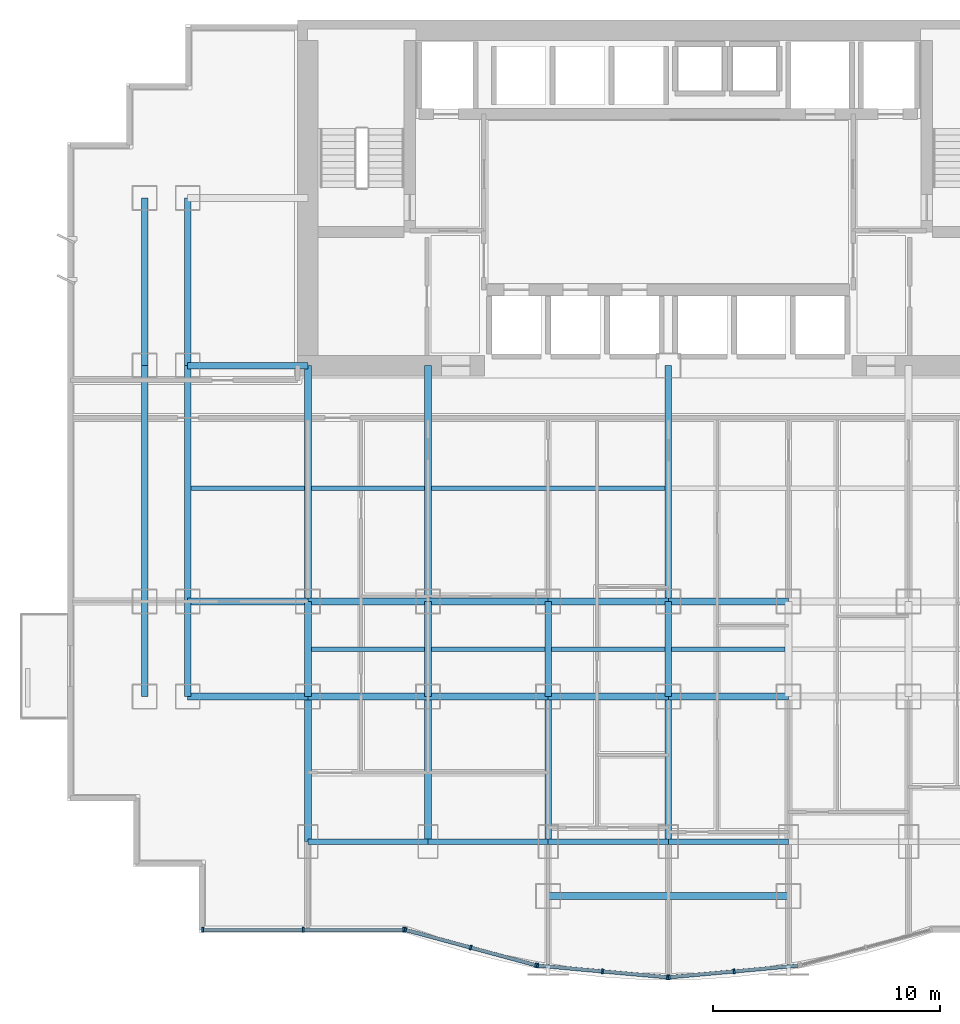
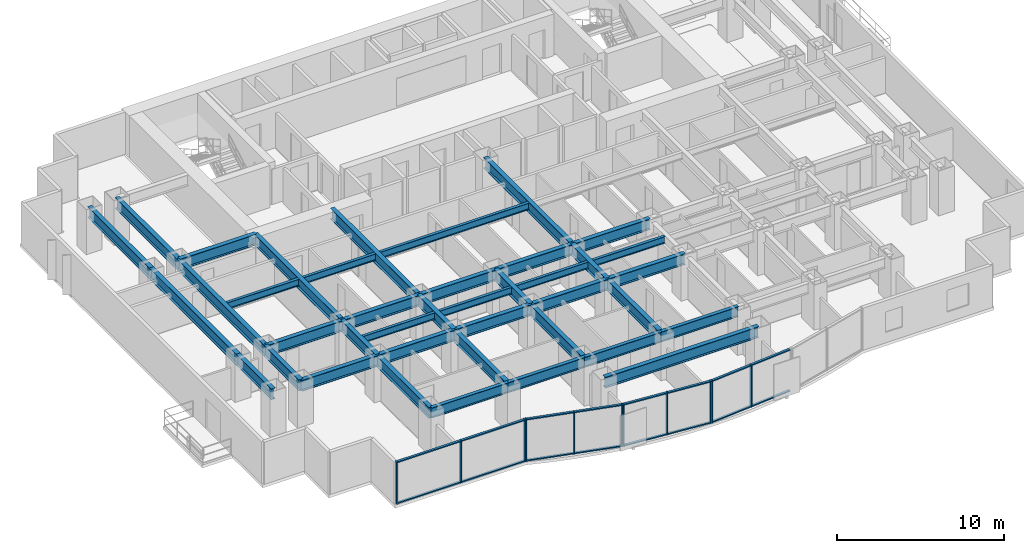
# One storey, part 2 of 10: 40 beams, 27 members, 4 elements without a shape of their own.
"""IFC4 building model written with IfcOpenShell, lengths in metres."""

from ifc_helpers import new_model, si_unit, direction, frame, origin, origin_2d, place, context, subcontext, project, spatial, rectangle, i_section, extrude, source, transform, mapped, material, layer, layer_set, material_profile, profile_set, type_object, element, aggregate, save


model = new_model("IFC4")

# Units and contexts
model_context = context("Model", 3, precision=1e-05, world=origin(), true_north=direction((0.0, 1.0)))
body_context = subcontext(model_context, "Body", "Model", "MODEL_VIEW")
ifc_project = project(units=[si_unit("LENGTHUNIT", "METRE"), si_unit("AREAUNIT", "SQUARE_METRE"), si_unit("VOLUMEUNIT", "CUBIC_METRE"), si_unit("PLANEANGLEUNIT", "RADIAN"), si_unit("MASSUNIT", "GRAM", prefix="KILO")], contexts=[model_context])

# Site, building, storey
site_placement = place(None, origin())
site = spatial("IfcSite", under=ifc_project, at=site_placement, CompositionType="ELEMENT")
building_placement = place(site_placement, origin())
building = spatial("IfcBuilding", under=site, at=building_placement, Name="Qianlan Lanfeng Residences", CompositionType="ELEMENT")
storey_placement = place(building_placement, frame((0.0, 0.0, 60.5)))
storey = spatial("IfcBuildingStorey", under=building, at=storey_placement, Name="L16", CompositionType="ELEMENT", Elevation=60.5)

# Beams
ifc_material_1 = material(Name="Steel SN490B", Category="steel")
ifc_material_profile_1 = material_profile(ifc_material_1, i_section(OverallWidth=0.300048828125, OverallDepth=0.800048828125, WebThickness=0.01611328125, FlangeThickness=0.028076171875, at=origin_2d()), Name="H 800x300x16x28")
ifc_profile_set_1 = profile_set([ifc_material_profile_1], Name="Steel SN490B")
beam_type_1 = type_object("IfcBeamType", Name="G-950", PredefinedType="BEAM", material=ifc_profile_set_1)
beam_1_placement = place(storey_placement, frame((21.199951171875, 1.800048828125, 2.679931640625), z_axis=(1.0, 0.0, 0.0), x_axis=(0.0, 1.0, 0.0)))
element("IfcBeam", 1, at=beam_1_placement, inside=storey, type_object=beam_type_1, Name="Structural beam G-950", PredefinedType="BEAM", context=body_context, shape_type="SweptSolid", body=[
    extrude(i_section(OverallWidth=0.300048828125, OverallDepth=0.800048828125, WebThickness=0.01611328125, FlangeThickness=0.028076171875, at=origin_2d()), origin(), (0.0, 0.0, 1.0), 10.60009765625),
])
beam_2_placement = place(storey_placement, frame((5.300048828125, 10.60009765625, 2.679931640625), z_axis=(1.0, 0.0, 0.0), x_axis=(0.0, 1.0, 0.0)))
element("IfcBeam", 2, at=beam_2_placement, inside=storey, type_object=beam_type_1, Name="Structural beam G-950", PredefinedType="BEAM", context=body_context, shape_type="SweptSolid", body=[
    extrude(i_section(OverallWidth=0.300048828125, OverallDepth=0.800048828125, WebThickness=0.01611328125, FlangeThickness=0.028076171875, at=origin_2d()), origin(), (0.0, 0.0, 1.0), 5.300048828125),
])
beam_3_placement = place(storey_placement, frame((10.60009765625, 10.60009765625, 2.679931640625), z_axis=(1.0, 0.0, 0.0), x_axis=(0.0, 1.0, 0.0)))
element("IfcBeam", 3, at=beam_3_placement, inside=storey, type_object=beam_type_1, Name="Structural beam G-950", PredefinedType="BEAM", context=body_context, shape_type="SweptSolid", body=[
    extrude(i_section(OverallWidth=0.300048828125, OverallDepth=0.800048828125, WebThickness=0.01611328125, FlangeThickness=0.028076171875, at=origin_2d()), origin(), (0.0, 0.0, 1.0), 5.2998046875),
])
for number, where, z_axis, x_axis, name in (
    (4, (15.89990234375, 10.60009765625, 2.679931640625), (1.0, 0.0, 0.0), (0.0, 1.0, 0.0), "Structural beam G-950"),
    (5, (21.199951171875, 10.60009765625, 2.679931640625), (1.0, 0.0, 0.0), (0.0, 1.0, 0.0), "Structural beam G-950"),
    (6, (26.5, 10.60009765625, 2.679931640625), (1.0, 0.0, 0.0), (0.0, 1.0, 0.0), "Structural beam G-950"),
    (7, (5.300048828125, 14.800048828125, 2.679931640625), (1.0, 0.0, 0.0), (0.0, 1.0, 0.0), "Structural beam G-950"),
):
    element("IfcBeam", number, at=place(storey_placement, frame(where, z_axis=z_axis, x_axis=x_axis)), inside=storey, type_object=beam_type_1, Name=name, PredefinedType="BEAM", context=body_context, shape_type="SweptSolid", body=[
        extrude(i_section(OverallWidth=0.300048828125, OverallDepth=0.800048828125, WebThickness=0.01611328125, FlangeThickness=0.028076171875, at=origin_2d()), origin(), (0.0, 0.0, 1.0), 5.300048828125),
    ])
beam_4_placement = place(storey_placement, frame((10.60009765625, 14.800048828125, 2.679931640625), z_axis=(1.0, 0.0, 0.0), x_axis=(0.0, 1.0, 0.0)))
element("IfcBeam", 8, at=beam_4_placement, inside=storey, type_object=beam_type_1, Name="Structural beam G-950", PredefinedType="BEAM", context=body_context, shape_type="SweptSolid", body=[
    extrude(i_section(OverallWidth=0.300048828125, OverallDepth=0.800048828125, WebThickness=0.01611328125, FlangeThickness=0.028076171875, at=origin_2d()), origin(), (0.0, 0.0, 1.0), 5.2998046875),
])
for number, where, z_axis, x_axis, name in (
    (9, (15.89990234375, 14.800048828125, 2.679931640625), (1.0, 0.0, 0.0), (0.0, 1.0, 0.0), "Structural beam G-950"),
    (10, (21.199951171875, 14.800048828125, 2.679931640625), (1.0, 0.0, 0.0), (0.0, 1.0, 0.0), "Structural beam G-950"),
    (11, (26.5, 14.800048828125, 2.679931640625), (1.0, 0.0, 0.0), (0.0, 1.0, 0.0), "Structural beam G-950"),
    (12, (5.300048828125, 25.199951171875, 2.679931640625), (1.0, 0.0, 0.0), (0.0, 1.0, 0.0), "Structural beam G-950"),
):
    element("IfcBeam", number, at=place(storey_placement, frame(where, z_axis=z_axis, x_axis=x_axis)), inside=storey, type_object=beam_type_1, Name=name, PredefinedType="BEAM", context=body_context, shape_type="SweptSolid", body=[
        extrude(i_section(OverallWidth=0.300048828125, OverallDepth=0.800048828125, WebThickness=0.01611328125, FlangeThickness=0.028076171875, at=origin_2d()), origin(), (0.0, 0.0, 1.0), 5.300048828125),
    ])
beam_5_placement = place(storey_placement, frame((3.39990234375, 10.60009765625, 2.679931640625), z_axis=(0.0, 1.0, 0.0), x_axis=(-1.0, 0.0, 0.0)))
element("IfcBeam", 13, at=beam_5_placement, inside=storey, type_object=beam_type_1, Name="Structural beam G-950", PredefinedType="BEAM", context=body_context, shape_type="SweptSolid", body=[
    extrude(i_section(OverallWidth=0.300048828125, OverallDepth=0.800048828125, WebThickness=0.01611328125, FlangeThickness=0.028076171875, at=origin_2d()), origin(), (0.0, 0.0, 1.0), 4.199951171875),
])
beam_6_placement = place(storey_placement, frame((3.39990234375, 14.800048828125, 2.679931640625), z_axis=(0.0, 1.0, 0.0), x_axis=(-1.0, 0.0, 0.0)))
element("IfcBeam", 14, at=beam_6_placement, inside=storey, type_object=beam_type_1, Name="Structural beam G-950", PredefinedType="BEAM", context=body_context, shape_type="SweptSolid", body=[
    extrude(i_section(OverallWidth=0.300048828125, OverallDepth=0.800048828125, WebThickness=0.01611328125, FlangeThickness=0.028076171875, at=origin_2d()), origin(), (0.0, 0.0, 1.0), 10.39990234375),
])
beam_7_placement = place(storey_placement, frame((3.39990234375, 25.199951171875, 2.679931640625), z_axis=(0.0, 1.0, 0.0), x_axis=(-1.0, 0.0, 0.0)))
element("IfcBeam", 15, at=beam_7_placement, inside=storey, type_object=beam_type_1, Name="Structural beam G-950", PredefinedType="BEAM", context=body_context, shape_type="SweptSolid", body=[
    extrude(i_section(OverallWidth=0.300048828125, OverallDepth=0.800048828125, WebThickness=0.01611328125, FlangeThickness=0.028076171875, at=origin_2d()), origin(), (0.0, 0.0, 1.0), 7.400146484375),
])
beam_8_placement = place(storey_placement, frame((5.300048828125, 10.60009765625, 2.679931640625), z_axis=(0.0, 1.0, 0.0), x_axis=(-1.0, 0.0, 0.0)))
element("IfcBeam", 16, at=beam_8_placement, inside=storey, type_object=beam_type_1, Name="Structural beam G-950", PredefinedType="BEAM", context=body_context, shape_type="SweptSolid", body=[
    extrude(i_section(OverallWidth=0.300048828125, OverallDepth=0.800048828125, WebThickness=0.01611328125, FlangeThickness=0.028076171875, at=origin_2d()), origin(), (0.0, 0.0, 1.0), 4.199951171875),
])
beam_9_placement = place(storey_placement, frame((5.300048828125, 14.800048828125, 2.679931640625), z_axis=(0.0, 1.0, 0.0), x_axis=(-1.0, 0.0, 0.0)))
element("IfcBeam", 17, at=beam_9_placement, inside=storey, type_object=beam_type_1, Name="Structural beam G-950", PredefinedType="BEAM", context=body_context, shape_type="SweptSolid", body=[
    extrude(i_section(OverallWidth=0.300048828125, OverallDepth=0.800048828125, WebThickness=0.01611328125, FlangeThickness=0.028076171875, at=origin_2d()), origin(), (0.0, 0.0, 1.0), 10.39990234375),
])
beam_10_placement = place(storey_placement, frame((5.300048828125, 25.199951171875, 2.679931640625), z_axis=(0.0, 1.0, 0.0), x_axis=(-1.0, 0.0, 0.0)))
element("IfcBeam", 18, at=beam_10_placement, inside=storey, type_object=beam_type_1, Name="Structural beam G-950", PredefinedType="BEAM", context=body_context, shape_type="SweptSolid", body=[
    extrude(i_section(OverallWidth=0.300048828125, OverallDepth=0.800048828125, WebThickness=0.01611328125, FlangeThickness=0.028076171875, at=origin_2d()), origin(), (0.0, 0.0, 1.0), 7.400146484375),
])
beam_11_placement = place(storey_placement, frame((10.60009765625, 4.199951171875, 2.679931640625), z_axis=(0.0, 1.0, 0.0), x_axis=(-1.0, 0.0, 0.0)))
element("IfcBeam", 19, at=beam_11_placement, inside=storey, type_object=beam_type_1, Name="Structural beam G-950", PredefinedType="BEAM", context=body_context, shape_type="SweptSolid", body=[
    extrude(i_section(OverallWidth=0.300048828125, OverallDepth=0.800048828125, WebThickness=0.01611328125, FlangeThickness=0.028076171875, at=origin_2d()), origin(), (0.0, 0.0, 1.0), 6.400146484375),
])
beam_12_placement = place(storey_placement, frame((10.60009765625, 10.60009765625, 2.679931640625), z_axis=(0.0, 1.0, 0.0), x_axis=(-1.0, 0.0, 0.0)))
element("IfcBeam", 20, at=beam_12_placement, inside=storey, type_object=beam_type_1, Name="Structural beam G-950", PredefinedType="BEAM", context=body_context, shape_type="SweptSolid", body=[
    extrude(i_section(OverallWidth=0.300048828125, OverallDepth=0.800048828125, WebThickness=0.01611328125, FlangeThickness=0.028076171875, at=origin_2d()), origin(), (0.0, 0.0, 1.0), 4.199951171875),
])
beam_13_placement = place(storey_placement, frame((10.60009765625, 14.800048828125, 2.679931640625), z_axis=(0.0, 1.0, 0.0), x_axis=(-1.0, 0.0, 0.0)))
element("IfcBeam", 21, at=beam_13_placement, inside=storey, type_object=beam_type_1, Name="Structural beam G-950", PredefinedType="BEAM", context=body_context, shape_type="SweptSolid", body=[
    extrude(i_section(OverallWidth=0.300048828125, OverallDepth=0.800048828125, WebThickness=0.01611328125, FlangeThickness=0.028076171875, at=origin_2d()), origin(), (0.0, 0.0, 1.0), 10.39990234375),
])
beam_14_placement = place(storey_placement, frame((15.89990234375, 4.199951171875, 2.679931640625), z_axis=(0.0, 1.0, 0.0), x_axis=(-1.0, 0.0, 0.0)))
element("IfcBeam", 22, at=beam_14_placement, inside=storey, type_object=beam_type_1, Name="Structural beam G-950", PredefinedType="BEAM", context=body_context, shape_type="SweptSolid", body=[
    extrude(i_section(OverallWidth=0.300048828125, OverallDepth=0.800048828125, WebThickness=0.01611328125, FlangeThickness=0.028076171875, at=origin_2d()), origin(), (0.0, 0.0, 1.0), 6.400146484375),
])
beam_15_placement = place(storey_placement, frame((15.89990234375, 10.60009765625, 2.679931640625), z_axis=(0.0, 1.0, 0.0), x_axis=(-1.0, 0.0, 0.0)))
element("IfcBeam", 23, at=beam_15_placement, inside=storey, type_object=beam_type_1, Name="Structural beam G-950", PredefinedType="BEAM", context=body_context, shape_type="SweptSolid", body=[
    extrude(i_section(OverallWidth=0.300048828125, OverallDepth=0.800048828125, WebThickness=0.01611328125, FlangeThickness=0.028076171875, at=origin_2d()), origin(), (0.0, 0.0, 1.0), 4.199951171875),
])
beam_16_placement = place(storey_placement, frame((15.89990234375, 14.800048828125, 2.679931640625), z_axis=(0.0, 1.0, 0.0), x_axis=(-1.0, 0.0, 0.0)))
element("IfcBeam", 24, at=beam_16_placement, inside=storey, type_object=beam_type_1, Name="Structural beam G-950", PredefinedType="BEAM", context=body_context, shape_type="SweptSolid", body=[
    extrude(i_section(OverallWidth=0.300048828125, OverallDepth=0.800048828125, WebThickness=0.01611328125, FlangeThickness=0.028076171875, at=origin_2d()), origin(), (0.0, 0.0, 1.0), 10.39990234375),
])
beam_17_placement = place(storey_placement, frame((21.199951171875, 4.199951171875, 2.679931640625), z_axis=(0.0, 1.0, 0.0), x_axis=(-1.0, 0.0, 0.0)))
element("IfcBeam", 25, at=beam_17_placement, inside=storey, type_object=beam_type_1, Name="Structural beam G-950", PredefinedType="BEAM", context=body_context, shape_type="SweptSolid", body=[
    extrude(i_section(OverallWidth=0.300048828125, OverallDepth=0.800048828125, WebThickness=0.01611328125, FlangeThickness=0.028076171875, at=origin_2d()), origin(), (0.0, 0.0, 1.0), 6.400146484375),
])
beam_18_placement = place(storey_placement, frame((21.199951171875, 10.60009765625, 2.679931640625), z_axis=(0.0, 1.0, 0.0), x_axis=(-1.0, 0.0, 0.0)))
element("IfcBeam", 26, at=beam_18_placement, inside=storey, type_object=beam_type_1, Name="Structural beam G-950", PredefinedType="BEAM", context=body_context, shape_type="SweptSolid", body=[
    extrude(i_section(OverallWidth=0.300048828125, OverallDepth=0.800048828125, WebThickness=0.01611328125, FlangeThickness=0.028076171875, at=origin_2d()), origin(), (0.0, 0.0, 1.0), 4.199951171875),
])
beam_19_placement = place(storey_placement, frame((26.5, 4.199951171875, 2.679931640625), z_axis=(0.0, 1.0, 0.0), x_axis=(-1.0, 0.0, 0.0)))
element("IfcBeam", 27, at=beam_19_placement, inside=storey, type_object=beam_type_1, Name="Structural beam G-950", PredefinedType="BEAM", context=body_context, shape_type="SweptSolid", body=[
    extrude(i_section(OverallWidth=0.300048828125, OverallDepth=0.800048828125, WebThickness=0.01611328125, FlangeThickness=0.028076171875, at=origin_2d()), origin(), (0.0, 0.0, 1.0), 6.400146484375),
])
beam_20_placement = place(storey_placement, frame((26.5, 10.60009765625, 2.679931640625), z_axis=(0.0, 1.0, 0.0), x_axis=(-1.0, 0.0, 0.0)))
element("IfcBeam", 28, at=beam_20_placement, inside=storey, type_object=beam_type_1, Name="Structural beam G-950", PredefinedType="BEAM", context=body_context, shape_type="SweptSolid", body=[
    extrude(i_section(OverallWidth=0.300048828125, OverallDepth=0.800048828125, WebThickness=0.01611328125, FlangeThickness=0.028076171875, at=origin_2d()), origin(), (0.0, 0.0, 1.0), 4.199951171875),
])
beam_21_placement = place(storey_placement, frame((26.5, 14.800048828125, 2.679931640625), z_axis=(0.0, 1.0, 0.0), x_axis=(-1.0, 0.0, 0.0)))
element("IfcBeam", 29, at=beam_21_placement, inside=storey, type_object=beam_type_1, Name="Structural beam G-950", PredefinedType="BEAM", context=body_context, shape_type="SweptSolid", body=[
    extrude(i_section(OverallWidth=0.300048828125, OverallDepth=0.800048828125, WebThickness=0.01611328125, FlangeThickness=0.028076171875, at=origin_2d()), origin(), (0.0, 0.0, 1.0), 10.39990234375),
])
ifc_material_profile_2 = material_profile(ifc_material_1, i_section(OverallWidth=0.199951171875, OverallDepth=0.5, WebThickness=0.010009765625, FlangeThickness=0.01611328125, at=origin_2d()), Name="H 500x200x10x16")
ifc_profile_set_2 = profile_set([ifc_material_profile_2], Name="Steel SN490B")
beam_type_2 = type_object("IfcBeamType", Name="J-500", PredefinedType="JOIST", material=ifc_profile_set_2)
for number, where, z_axis, x_axis, name in (
    (30, (10.75, 12.699951171875, 2.830078125), (1.0, 0.0, 0.0), (0.0, 1.0, 0.0), "Structural beam J-500"),
    (31, (16.050048828125, 12.699951171875, 2.830078125), (1.0, 0.0, 0.0), (0.0, 1.0, 0.0), "Structural beam J-500"),
    (32, (21.35009765625, 12.699951171875, 2.830078125), (1.0, 0.0, 0.0), (0.0, 1.0, 0.0), "Structural beam J-500"),
    (33, (26.64990234375, 12.699951171875, 2.830078125), (1.0, 0.0, 0.0), (0.0, 1.0, 0.0), "Structural beam J-500"),
    (34, (5.449951171875, 19.800048828125, 2.830078125), (1.0, 0.0, 0.0), (0.0, 1.0, 0.0), "Structural beam J-500"),
    (35, (10.75, 19.800048828125, 2.830078125), (1.0, 0.0, 0.0), (0.0, 1.0, 0.0), "Structural beam J-500"),
):
    element("IfcBeam", number, at=place(storey_placement, frame(where, z_axis=z_axis, x_axis=x_axis)), inside=storey, type_object=beam_type_2, Name=name, PredefinedType="JOIST", context=body_context, shape_type="SweptSolid", body=[
        extrude(i_section(OverallWidth=0.199951171875, OverallDepth=0.5, WebThickness=0.010009765625, FlangeThickness=0.01611328125, at=origin_2d()), origin(), (0.0, 0.0, 1.0), 5.0),
    ])
beam_22_placement = place(storey_placement, frame((16.050048828125, 19.800048828125, 2.830078125), z_axis=(1.0, 0.0, 0.0), x_axis=(0.0, 1.0, 0.0)))
element("IfcBeam", 36, at=beam_22_placement, inside=storey, type_object=beam_type_2, Name="Structural beam J-500", PredefinedType="JOIST", context=body_context, shape_type="SweptSolid", body=[
    extrude(i_section(OverallWidth=0.199951171875, OverallDepth=0.5, WebThickness=0.010009765625, FlangeThickness=0.01611328125, at=origin_2d()), origin(), (0.0, 0.0, 1.0), 10.300048828125),
])
ifc_material_profile_3 = material_profile(ifc_material_1, i_section(OverallWidth=0.25, OverallDepth=0.75, WebThickness=0.013916015625, FlangeThickness=0.02490234375, at=origin_2d()), Name="H 750x250x14x25")
ifc_profile_set_3 = profile_set([ifc_material_profile_3], Name="Steel SN490B")
beam_type_3 = type_object("IfcBeamType", Name="SG-850", PredefinedType="SPANDREL", material=ifc_profile_set_3)
beam_23_placement = place(storey_placement, frame((10.60009765625, 4.199951171875, 2.705078125), z_axis=(1.0, 0.0, 0.0), x_axis=(0.0, 1.0, 0.0)))
element("IfcBeam", 37, at=beam_23_placement, inside=storey, type_object=beam_type_3, Name="Structural beam SG-850", PredefinedType="SPANDREL", context=body_context, shape_type="SweptSolid", body=[
    extrude(i_section(OverallWidth=0.25, OverallDepth=0.75, WebThickness=0.013916015625, FlangeThickness=0.02490234375, at=origin_2d()), origin(), (0.0, 0.0, 1.0), 5.2998046875),
])
for number, where, z_axis, x_axis, name in (
    (38, (15.89990234375, 4.199951171875, 2.705078125), (1.0, 0.0, 0.0), (0.0, 1.0, 0.0), "Structural beam SG-850"),
    (39, (21.199951171875, 4.199951171875, 2.705078125), (1.0, 0.0, 0.0), (0.0, 1.0, 0.0), "Structural beam SG-850"),
    (40, (26.5, 4.199951171875, 2.705078125), (1.0, 0.0, 0.0), (0.0, 1.0, 0.0), "Structural beam SG-850"),
):
    element("IfcBeam", number, at=place(storey_placement, frame(where, z_axis=z_axis, x_axis=x_axis)), inside=storey, type_object=beam_type_3, Name=name, PredefinedType="SPANDREL", context=body_context, shape_type="SweptSolid", body=[
        extrude(i_section(OverallWidth=0.25, OverallDepth=0.75, WebThickness=0.013916015625, FlangeThickness=0.02490234375, at=origin_2d()), origin(), (0.0, 0.0, 1.0), 5.300048828125),
    ])

# Curtain wall, members
ifc_material_2 = material(Name="Anodised Bronze Aluminium 6063-T6", Category="aluminium")
ifc_layer = layer(ifc_material_2, 0.219970703125)
ifc_layer_set = layer_set([ifc_layer], Name="Anodised Bronze Aluminium 6063-T6")
curtain_wall_type = type_object("IfcCurtainWallType", Name="CW-02", PredefinedType="NOTDEFINED", material=ifc_layer_set)
curtain_wall_1_placement = place(storey_placement, origin())
curtain_wall_1 = element("IfcCurtainWall", 41, at=curtain_wall_1_placement, inside=storey, type_object=curtain_wall_type, Name="L16 Unitised Curtain Wall CWR-L16-01 (CW-02)", PredefinedType="NOTDEFINED")
ifc_material_profile_4 = material_profile(ifc_material_2, rectangle(XDim=0.080078125, YDim=0.2099609375, at=origin_2d()), Name="ALU MULLION 80x210")
ifc_profile_set_4 = profile_set([ifc_material_profile_4], Name="Anodised Bronze Aluminium 6063-T6")
member_type_1 = type_object("IfcMemberType", Name="CWM-220", PredefinedType="MULLION", material=ifc_profile_set_4)
shared_shape_1 = source(origin(), body_context, "Body", "SweptSolid", [
    extrude(rectangle(XDim=0.080078125, YDim=0.2099609375, at=origin_2d()), origin(), (0.0, 0.0, 1.0), 3.080078125),
])
member_1_placement = place(storey_placement, frame((5.9599609375, 0.320068359375, 0.0), z_axis=(0.0, 0.0, 1.0), x_axis=(1.0, 0.0, 0.0)))
member_1 = element("IfcMember", 42, at=member_1_placement, type_object=member_type_1, Name="CWR-L16-01 Mullion 1", PredefinedType="MULLION", context=body_context, shape_type="MappedRepresentation", body=[
    mapped(shared_shape_1, transform((0.0, 0.0, 0.0), scale=1.0)),
])
member_2_placement = place(storey_placement, frame((10.39501953125, 0.320068359375, 0.0), z_axis=(0.0, 0.0, 1.0), x_axis=(1.0, 0.0, 0.0)))
member_2 = element("IfcMember", 43, at=member_2_placement, type_object=member_type_1, Name="CWR-L16-01 Mullion 2", PredefinedType="MULLION", context=body_context, shape_type="MappedRepresentation", body=[
    mapped(shared_shape_1, transform((0.0, 0.0, 0.0), scale=1.0)),
])
member_3_placement = place(storey_placement, frame((14.830078125, 0.320068359375, 0.0), z_axis=(0.0, 0.0, 1.0), x_axis=(1.0, 0.0, 0.0)))
member_3 = element("IfcMember", 44, at=member_3_placement, type_object=member_type_1, Name="CWR-L16-01 Mullion 3", PredefinedType="MULLION", context=body_context, shape_type="MappedRepresentation", body=[
    mapped(shared_shape_1, transform((0.0, 0.0, 0.0), scale=1.0)),
])

curtain_wall_2_placement = place(storey_placement, origin())
curtain_wall_2 = element("IfcCurtainWall", 45, at=curtain_wall_2_placement, inside=storey, type_object=curtain_wall_type, Name="L16 Unitised Curtain Wall CWR-L16-02 (CW-02)", PredefinedType="NOTDEFINED")
member_4_placement = place(storey_placement, frame((14.90869140625, 0.3095703125, 0.0), z_axis=(0.0, 0.0, 1.0), x_axis=(0.9652627173, -0.261281240412, 0.0)))
member_4 = element("IfcMember", 46, at=member_4_placement, type_object=member_type_1, Name="CWR-L16-02 Mullion 1", PredefinedType="MULLION", context=body_context, shape_type="MappedRepresentation", body=[
    mapped(shared_shape_1, transform((0.0, 0.0, 0.0), scale=1.0)),
])
member_5_placement = place(storey_placement, frame((17.782958984375, -0.468505859375, 0.0), z_axis=(0.0, 0.0, 1.0), x_axis=(0.9652627173, -0.261281240412, 0.0)))
member_5 = element("IfcMember", 47, at=member_5_placement, type_object=member_type_1, Name="CWR-L16-02 Mullion 2", PredefinedType="MULLION", context=body_context, shape_type="MappedRepresentation", body=[
    mapped(shared_shape_1, transform((0.0, 0.0, 0.0), scale=1.0)),
])
member_6_placement = place(storey_placement, frame((20.657470703125, -1.24658203125, 0.0), z_axis=(0.0, 0.0, 1.0), x_axis=(0.9652627173, -0.261281240412, 0.0)))
member_6 = element("IfcMember", 48, at=member_6_placement, type_object=member_type_1, Name="CWR-L16-02 Mullion 3", PredefinedType="MULLION", context=body_context, shape_type="MappedRepresentation", body=[
    mapped(shared_shape_1, transform((0.0, 0.0, 0.0), scale=1.0)),
])

curtain_wall_3_placement = place(storey_placement, origin())
curtain_wall_3 = element("IfcCurtainWall", 49, at=curtain_wall_3_placement, inside=storey, type_object=curtain_wall_type, Name="L16 Unitised Curtain Wall CWR-L16-03 (CW-02)", PredefinedType="NOTDEFINED")
member_7_placement = place(storey_placement, frame((20.73583984375, -1.260498046875, 0.0), z_axis=(0.0, 0.0, 1.0), x_axis=(0.995964677764, -0.089746089862, 0.0)))
member_7 = element("IfcMember", 50, at=member_7_placement, type_object=member_type_1, Name="CWR-L16-03 Mullion 1", PredefinedType="MULLION", context=body_context, shape_type="MappedRepresentation", body=[
    mapped(shared_shape_1, transform((0.0, 0.0, 0.0), scale=1.0)),
])
member_8_placement = place(storey_placement, frame((23.597900390625, -1.5185546875, 0.0), z_axis=(0.0, 0.0, 1.0), x_axis=(0.995964677764, -0.089746089862, 0.0)))
member_8 = element("IfcMember", 51, at=member_8_placement, type_object=member_type_1, Name="CWR-L16-03 Mullion 2", PredefinedType="MULLION", context=body_context, shape_type="MappedRepresentation", body=[
    mapped(shared_shape_1, transform((0.0, 0.0, 0.0), scale=1.0)),
])
member_9_placement = place(storey_placement, frame((26.460205078125, -1.7763671875, 0.0), z_axis=(0.0, 0.0, 1.0), x_axis=(0.995964677764, -0.089746089862, 0.0)))
member_9 = element("IfcMember", 52, at=member_9_placement, type_object=member_type_1, Name="CWR-L16-03 Mullion 3", PredefinedType="MULLION", context=body_context, shape_type="MappedRepresentation", body=[
    mapped(shared_shape_1, transform((0.0, 0.0, 0.0), scale=1.0)),
])

curtain_wall_4_placement = place(storey_placement, origin())
curtain_wall_4 = element("IfcCurtainWall", 53, at=curtain_wall_4_placement, inside=storey, type_object=curtain_wall_type, Name="L16 Unitised Curtain Wall CWR-L16-04 (CW-02)", PredefinedType="NOTDEFINED")
member_10_placement = place(storey_placement, frame((26.539794921875, -1.7763671875, 0.0), z_axis=(0.0, 0.0, 1.0), x_axis=(0.995964677764, 0.089746089862, 0.0)))
member_10 = element("IfcMember", 54, at=member_10_placement, type_object=member_type_1, Name="CWR-L16-04 Mullion 1", PredefinedType="MULLION", context=body_context, shape_type="MappedRepresentation", body=[
    mapped(shared_shape_1, transform((0.0, 0.0, 0.0), scale=1.0)),
])
member_11_placement = place(storey_placement, frame((29.402099609375, -1.5185546875, 0.0), z_axis=(0.0, 0.0, 1.0), x_axis=(0.995964677764, 0.089746089862, 0.0)))
member_11 = element("IfcMember", 55, at=member_11_placement, type_object=member_type_1, Name="CWR-L16-04 Mullion 2", PredefinedType="MULLION", context=body_context, shape_type="MappedRepresentation", body=[
    mapped(shared_shape_1, transform((0.0, 0.0, 0.0), scale=1.0)),
])

# Member
ifc_material_profile_5 = material_profile(ifc_material_2, rectangle(XDim=0.080078125, YDim=0.159912109375, at=origin_2d()), Name="ALU TRANSOM 80x160")
ifc_profile_set_5 = profile_set([ifc_material_profile_5], Name="Anodised Bronze Aluminium 6063-T6")
member_type_2 = type_object("IfcMemberType", Name="CWT-180", PredefinedType="USERDEFINED", material=ifc_profile_set_5)
shared_shape_2 = source(origin(), body_context, "Body", "SweptSolid", [
    extrude(rectangle(XDim=0.080078125, YDim=0.159912109375, at=origin_2d()), origin(), (0.0, 0.0, 1.0), 2.897705078125),
])
member_12_placement = place(storey_placement, frame((14.947265625, 0.299072265625, 0.0400390625), z_axis=(0.965267548724, -0.261263390817, 0.0), x_axis=(0.0, 0.0, 1.0)))
member_12 = element("IfcMember", 56, at=member_12_placement, type_object=member_type_2, Name="CWR-L16-02 Transom 1-BOT", ObjectType="TRANSOM", PredefinedType="USERDEFINED", context=body_context, shape_type="MappedRepresentation", body=[
    mapped(shared_shape_2, transform((0.0, 0.0, 0.0), scale=1.0)),
])

member_13_placement = place(storey_placement, frame((14.947265625, 0.299072265625, 3.0400390625), z_axis=(0.965267548724, -0.261263390817, 0.0), x_axis=(0.0, 0.0, 1.0)))
member_13 = element("IfcMember", 57, at=member_13_placement, type_object=member_type_2, Name="CWR-L16-02 Transom 1-TOP", ObjectType="TRANSOM", PredefinedType="USERDEFINED", context=body_context, shape_type="MappedRepresentation", body=[
    mapped(shared_shape_2, transform((0.0, 0.0, 0.0), scale=1.0)),
])

shared_shape_3 = source(origin(), body_context, "Body", "SweptSolid", [
    extrude(rectangle(XDim=0.080078125, YDim=0.159912109375, at=origin_2d()), origin(), (0.0, 0.0, 1.0), 2.89794921875),
])
member_14_placement = place(storey_placement, frame((17.821533203125, -0.47900390625, 0.0400390625), z_axis=(0.965273298897, -0.261242145215, 0.0), x_axis=(0.0, 0.0, 1.0)))
member_14 = element("IfcMember", 58, at=member_14_placement, type_object=member_type_2, Name="CWR-L16-02 Transom 2-BOT", ObjectType="TRANSOM", PredefinedType="USERDEFINED", context=body_context, shape_type="MappedRepresentation", body=[
    mapped(shared_shape_3, transform((0.0, 0.0, 0.0), scale=1.0)),
])

member_15_placement = place(storey_placement, frame((17.821533203125, -0.47900390625, 3.0400390625), z_axis=(0.965273298897, -0.261242145215, 0.0), x_axis=(0.0, 0.0, 1.0)))
member_15 = element("IfcMember", 59, at=member_15_placement, type_object=member_type_2, Name="CWR-L16-02 Transom 2-TOP", ObjectType="TRANSOM", PredefinedType="USERDEFINED", context=body_context, shape_type="MappedRepresentation", body=[
    mapped(shared_shape_3, transform((0.0, 0.0, 0.0), scale=1.0)),
])

aggregate(curtain_wall_2, [member_4, member_5, member_6, member_12, member_13, member_14, member_15])

shared_shape_4 = source(origin(), body_context, "Body", "SweptSolid", [
    extrude(rectangle(XDim=0.080078125, YDim=0.159912109375, at=origin_2d()), origin(), (0.0, 0.0, 1.0), 2.793701171875),
])
member_16_placement = place(storey_placement, frame((20.775634765625, -1.26416015625, 0.0400390625), z_axis=(0.995964524532, -0.089747790357, 0.0), x_axis=(0.0, 0.0, 1.0)))
member_16 = element("IfcMember", 60, at=member_16_placement, type_object=member_type_2, Name="CWR-L16-03 Transom 1-BOT", ObjectType="TRANSOM", PredefinedType="USERDEFINED", context=body_context, shape_type="MappedRepresentation", body=[
    mapped(shared_shape_4, transform((0.0, 0.0, 0.0), scale=1.0)),
])

member_17_placement = place(storey_placement, frame((20.775634765625, -1.26416015625, 3.0400390625), z_axis=(0.995964524532, -0.089747790357, 0.0), x_axis=(0.0, 0.0, 1.0)))
member_17 = element("IfcMember", 61, at=member_17_placement, type_object=member_type_2, Name="CWR-L16-03 Transom 1-TOP", ObjectType="TRANSOM", PredefinedType="USERDEFINED", context=body_context, shape_type="MappedRepresentation", body=[
    mapped(shared_shape_4, transform((0.0, 0.0, 0.0), scale=1.0)),
])

member_18_placement = place(storey_placement, frame((23.637939453125, -1.522216796875, 0.0400390625), z_axis=(0.995972332078, -0.089661104915, 0.0), x_axis=(0.0, 0.0, 1.0)))
member_18 = element("IfcMember", 62, at=member_18_placement, type_object=member_type_2, Name="CWR-L16-03 Transom 2-BOT", ObjectType="TRANSOM", PredefinedType="USERDEFINED", context=body_context, shape_type="MappedRepresentation", body=[
    mapped(shared_shape_4, transform((0.0, 0.0, 0.0), scale=1.0)),
])

member_19_placement = place(storey_placement, frame((23.637939453125, -1.522216796875, 3.0400390625), z_axis=(0.995972332078, -0.089661104915, 0.0), x_axis=(0.0, 0.0, 1.0)))
member_19 = element("IfcMember", 63, at=member_19_placement, type_object=member_type_2, Name="CWR-L16-03 Transom 2-TOP", ObjectType="TRANSOM", PredefinedType="USERDEFINED", context=body_context, shape_type="MappedRepresentation", body=[
    mapped(shared_shape_4, transform((0.0, 0.0, 0.0), scale=1.0)),
])

aggregate(curtain_wall_3, [member_7, member_8, member_9, member_16, member_17, member_18, member_19])

member_20_placement = place(storey_placement, frame((29.44189453125, -1.514892578125, 0.0400390625), z_axis=(0.995964524532, 0.089747790357, 0.0), x_axis=(0.0, 0.0, 1.0)))
member_20 = element("IfcMember", 64, at=member_20_placement, type_object=member_type_2, Name="CWR-L16-04 Transom 2-BOT", ObjectType="TRANSOM", PredefinedType="USERDEFINED", context=body_context, shape_type="MappedRepresentation", body=[
    mapped(shared_shape_4, transform((0.0, 0.0, 0.0), scale=1.0)),
])

member_21_placement = place(storey_placement, frame((29.44189453125, -1.514892578125, 3.0400390625), z_axis=(0.995964524532, 0.089747790357, 0.0), x_axis=(0.0, 0.0, 1.0)))
member_21 = element("IfcMember", 65, at=member_21_placement, type_object=member_type_2, Name="CWR-L16-04 Transom 2-TOP", ObjectType="TRANSOM", PredefinedType="USERDEFINED", context=body_context, shape_type="MappedRepresentation", body=[
    mapped(shared_shape_4, transform((0.0, 0.0, 0.0), scale=1.0)),
])

shared_shape_5 = source(origin(), body_context, "Body", "SweptSolid", [
    extrude(rectangle(XDim=0.080078125, YDim=0.159912109375, at=origin_2d()), origin(), (0.0, 0.0, 1.0), 2.7939453125),
])
member_22_placement = place(storey_placement, frame((26.57958984375, -1.772705078125, 0.0400390625), z_axis=(0.995973034517, 0.089653301756, 0.0), x_axis=(0.0, 0.0, 1.0)))
member_22 = element("IfcMember", 66, at=member_22_placement, type_object=member_type_2, Name="CWR-L16-04 Transom 1-BOT", ObjectType="TRANSOM", PredefinedType="USERDEFINED", context=body_context, shape_type="MappedRepresentation", body=[
    mapped(shared_shape_5, transform((0.0, 0.0, 0.0), scale=1.0)),
])

member_23_placement = place(storey_placement, frame((26.57958984375, -1.772705078125, 3.0400390625), z_axis=(0.995973034517, 0.089653301756, 0.0), x_axis=(0.0, 0.0, 1.0)))
member_23 = element("IfcMember", 67, at=member_23_placement, type_object=member_type_2, Name="CWR-L16-04 Transom 1-TOP", ObjectType="TRANSOM", PredefinedType="USERDEFINED", context=body_context, shape_type="MappedRepresentation", body=[
    mapped(shared_shape_5, transform((0.0, 0.0, 0.0), scale=1.0)),
])

aggregate(curtain_wall_4, [member_10, member_11, member_22, member_23, member_20, member_21])

shared_shape_6 = source(origin(), body_context, "Body", "SweptSolid", [
    extrude(rectangle(XDim=0.080078125, YDim=0.159912109375, at=origin_2d()), origin(), (0.0, 0.0, 1.0), 4.35498046875),
])
member_24_placement = place(storey_placement, frame((6.0, 0.320068359375, 0.0400390625), z_axis=(1.0, 0.0, 0.0), x_axis=(0.0, 0.0, 1.0)))
member_24 = element("IfcMember", 68, at=member_24_placement, type_object=member_type_2, Name="CWR-L16-01 Transom 1-BOT", ObjectType="TRANSOM", PredefinedType="USERDEFINED", context=body_context, shape_type="MappedRepresentation", body=[
    mapped(shared_shape_6, transform((0.0, 0.0, 0.0), scale=1.0)),
])

member_25_placement = place(storey_placement, frame((6.0, 0.320068359375, 3.0400390625), z_axis=(1.0, 0.0, 0.0), x_axis=(0.0, 0.0, 1.0)))
member_25 = element("IfcMember", 69, at=member_25_placement, type_object=member_type_2, Name="CWR-L16-01 Transom 1-TOP", ObjectType="TRANSOM", PredefinedType="USERDEFINED", context=body_context, shape_type="MappedRepresentation", body=[
    mapped(shared_shape_6, transform((0.0, 0.0, 0.0), scale=1.0)),
])

member_26_placement = place(storey_placement, frame((10.43505859375, 0.320068359375, 0.0400390625), z_axis=(1.0, 0.0, 0.0), x_axis=(0.0, 0.0, 1.0)))
member_26 = element("IfcMember", 70, at=member_26_placement, type_object=member_type_2, Name="CWR-L16-01 Transom 2-BOT", ObjectType="TRANSOM", PredefinedType="USERDEFINED", context=body_context, shape_type="MappedRepresentation", body=[
    mapped(shared_shape_6, transform((0.0, 0.0, 0.0), scale=1.0)),
])

member_27_placement = place(storey_placement, frame((10.43505859375, 0.320068359375, 3.0400390625), z_axis=(1.0, 0.0, 0.0), x_axis=(0.0, 0.0, 1.0)))
member_27 = element("IfcMember", 71, at=member_27_placement, type_object=member_type_2, Name="CWR-L16-01 Transom 2-TOP", ObjectType="TRANSOM", PredefinedType="USERDEFINED", context=body_context, shape_type="MappedRepresentation", body=[
    mapped(shared_shape_6, transform((0.0, 0.0, 0.0), scale=1.0)),
])

aggregate(curtain_wall_1, [member_1, member_2, member_3, member_24, member_25, member_26, member_27])

save(model, "model.ifc")
